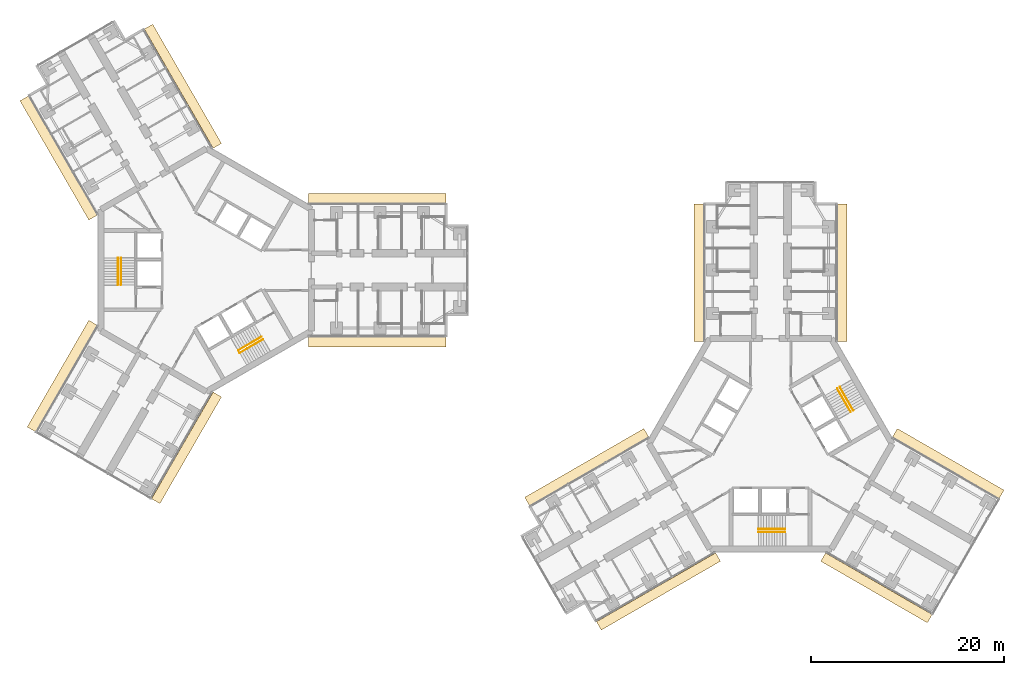
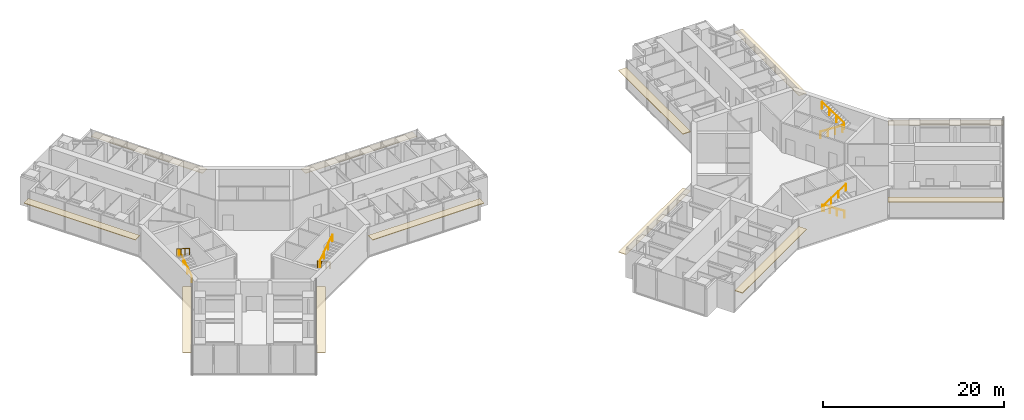
# One storey, part 23 of 23: 12 coverings, 8 railings.
"""IFC4 building model written with IfcOpenShell, lengths in metres."""

import ifcopenshell
import ifcopenshell.guid

model = None  # the IFC model being written
_history = None  # IfcOwnerHistory: only IFC2X3 demands one
_inside = {}  # id of a spatial element -> (the spatial element, [elements in it])
_under = {}  # id of a project, library or spatial element -> (it, [spatial elements below it])
_declared = {}  # id of a project -> (the project, [libraries it declares])
_typed = {}  # id of a type object -> (the type object, [elements of that type])
_made_of = {}  # id of a material, layer set ... -> (it, [elements and type objects made of it])


def new_model(schema):
    """Start an empty IFC model of exactly this schema.

    Asked for "IFC4X3", IfcOpenShell would pick the latest addendum, in which some entities
    have other attributes; the version numbers below select the first issue.
    IFC2X3 requires an IfcOwnerHistory on every rooted entity: one is made here for all.
    """
    global model, _history
    if schema == "IFC4X3":
        model = ifcopenshell.file(schema_version=(4, 3, 0, 0))
    else:
        model = ifcopenshell.file(schema=schema)
    _inside.clear()
    _under.clear()
    _declared.clear()
    _typed.clear()
    _made_of.clear()
    _history = None
    if model.schema == "IFC2X3":
        org = make("IfcOrganization", Name="unknown")
        user = make(
            "IfcPersonAndOrganization",
            ThePerson=make("IfcPerson", FamilyName="unknown"),
            TheOrganization=org,
        )
        app = make(
            "IfcApplication",
            ApplicationDeveloper=org,
            Version="unknown",
            ApplicationFullName="unknown",
            ApplicationIdentifier="unknown",
        )
        _history = make(
            "IfcOwnerHistory",
            OwningUser=user,
            OwningApplication=app,
            ChangeAction="ADDED",
            CreationDate=0,
        )
    return model


def make(cls, **values):
    """One entity of the class cls with the attributes given. An attribute that is None is left unset."""
    return model.create_entity(
        cls, **{name: value for name, value in values.items() if value is not None}
    )


def rooted(cls, **values):
    """An entity with a GlobalId (a new one), such as an element, a storey or a relation."""
    return make(cls, GlobalId=ifcopenshell.guid.new(), OwnerHistory=_history, **values)


def si_unit(unit_type, name, prefix=None):
    """IfcSIUnit, for example si_unit("LENGTHUNIT", "METRE", prefix="MILLI")."""
    return make("IfcSIUnit", UnitType=unit_type, Prefix=prefix, Name=name)


def assignment(units):
    """IfcUnitAssignment: the units of a project."""
    return None if units is None else make("IfcUnitAssignment", Units=units)


def point(xyz):
    """IfcCartesianPoint."""
    return None if xyz is None else make("IfcCartesianPoint", Coordinates=xyz)


def direction(xyz):
    """IfcDirection."""
    return None if xyz is None else make("IfcDirection", DirectionRatios=xyz)


def frame(location, z_axis=None, x_axis=None):
    """IfcAxis2Placement3D, a coordinate frame: its origin and axes. An axis left out is left unset."""
    return make(
        "IfcAxis2Placement3D",
        Location=point(location),
        Axis=direction(z_axis),
        RefDirection=direction(x_axis),
    )


def frame_2d(location, x_axis=None):
    """IfcAxis2Placement2D, a coordinate frame in the plane: its origin and x axis."""
    return make(
        "IfcAxis2Placement2D", Location=point(location), RefDirection=direction(x_axis)
    )


def origin():
    """The frame at (0, 0, 0) with its axes left unset."""
    return frame((0.0, 0.0, 0.0))


def origin_2d():
    """The frame at (0, 0) in the plane with its x axis left unset."""
    return frame_2d((0.0, 0.0))


def place(relative_to, where):
    """IfcLocalPlacement: puts the frame where relative to a parent placement (None: the world)."""
    return make(
        "IfcLocalPlacement", PlacementRelTo=relative_to, RelativePlacement=where
    )


def context(
    kind, dimensions, precision=None, world=None, true_north=None, identifier=None
):
    """IfcGeometricRepresentationContext, for example the 3D "Model" context."""
    return make(
        "IfcGeometricRepresentationContext",
        ContextIdentifier=identifier,
        ContextType=kind,
        CoordinateSpaceDimension=dimensions,
        Precision=precision,
        WorldCoordinateSystem=world,
        TrueNorth=true_north,
    )


def subcontext(parent, identifier, kind, view, scale=None):
    """IfcGeometricRepresentationSubContext, for example "Body" below "Model"."""
    return make(
        "IfcGeometricRepresentationSubContext",
        ContextIdentifier=identifier,
        ContextType=kind,
        ParentContext=parent,
        TargetScale=scale,
        TargetView=view,
    )


def project(units=None, contexts=None):
    """IfcProject with its units and contexts."""
    return rooted(
        "IfcProject",
        Name="project",
        RepresentationContexts=contexts,
        UnitsInContext=assignment(units),
    )


def spatial(cls, under=None, at=None, **own):
    """A site, building, storey or space (cls), placed at a placement, below another one or the project."""
    s = rooted(cls, ObjectPlacement=at, **own)
    if under is not None:
        _under.setdefault(under.id(), (under, []))[1].append(s)
    return s


def profile(cls, at=None, kind="AREA", **sizes):
    """A parametric profile (cls). Its sizes go by their IFC names, for example OverallWidth=200.0."""
    return make(cls, ProfileType=kind, Position=at, **sizes)


def rectangle(**sizes):
    """IfcRectangleProfileDef."""
    return profile("IfcRectangleProfileDef", **sizes)


def circle(**sizes):
    """IfcCircleProfileDef."""
    return profile("IfcCircleProfileDef", **sizes)


def extrude(swept, where, along, depth):
    """IfcExtrudedAreaSolid: the profile swept, set in the frame where, extruded along a direction by depth."""
    return make(
        "IfcExtrudedAreaSolid",
        SweptArea=swept,
        Position=where,
        ExtrudedDirection=direction(along),
        Depth=depth,
    )


def shape(context_of_items, identifier, shape_type, items):
    """IfcShapeRepresentation: the items that make up one representation, for example the "Body"."""
    return make(
        "IfcShapeRepresentation",
        ContextOfItems=context_of_items,
        RepresentationIdentifier=identifier,
        RepresentationType=shape_type,
        Items=items,
    )


def material(Name=None, Category=None):
    """IfcMaterial."""
    return make("IfcMaterial", Name=Name, Category=Category)


def layer(
    of_material, thickness, ventilated=None, Name=None, Category=None, Priority=None
):
    """IfcMaterialLayer: one layer of a wall or slab, of a material (None: an air gap)."""
    return make(
        "IfcMaterialLayer",
        Material=of_material,
        LayerThickness=thickness,
        IsVentilated=ventilated,
        Name=Name,
        Category=Category,
        Priority=Priority,
    )


def layer_set(layers, Name=None):
    """IfcMaterialLayerSet."""
    return make("IfcMaterialLayerSet", MaterialLayers=layers, LayerSetName=Name)


def made_of(thing, what):
    """Note that an element or type object is made of a material, layer set ...; save() writes the relation."""
    if what is not None:
        _made_of.setdefault(what.id(), (what, []))[1].append(thing)
    return thing


def type_object(cls, material=None, **own):
    """A type object (cls), such as IfcWallType, which elements share."""
    return made_of(rooted(cls, **own), material)


def element(
    cls,
    number,
    at=None,
    inside=None,
    cuts=None,
    type_object=None,
    material=None,
    context=None,
    identifier="Body",
    shape_type=None,
    held_by="IfcProductDefinitionShape",
    body=None,
    shapes=None,
    **own,
):
    """One element of the class cls, such as IfcWall. Its Tag is "e" and its number.

    at: its placement. inside: the storey or other place that contains it. cuts: it is an
    opening in that element (IfcRelVoidsElement). A single representation is given by context,
    identifier, shape_type and body (its items); several are given by shapes. held_by: the class
    of the entity that holds the representations. save() writes the other relations.
    """
    e = rooted(cls, Tag="e%d" % number, ObjectPlacement=at, **own)
    if body is not None:
        shapes = [shape(context, identifier, shape_type, body)]
    if shapes is not None:
        e.Representation = make(held_by, Representations=shapes)
    if inside is not None:
        _inside.setdefault(inside.id(), (inside, []))[1].append(e)
    if cuts is not None:
        rooted(
            "IfcRelVoidsElement", RelatingBuildingElement=cuts, RelatedOpeningElement=e
        )
    if type_object is not None:
        _typed.setdefault(type_object.id(), (type_object, []))[1].append(e)
    return made_of(e, material)


def aggregate(whole, parts):
    """IfcRelAggregates: a whole, such as a stair, and the parts it consists of."""
    return rooted("IfcRelAggregates", RelatingObject=whole, RelatedObjects=parts)


def save(model, path):
    """Write the relations noted so far, then the file.

    IfcRelAggregates (storeys below a building ...), IfcRelContainedInSpatialStructure (elements
    in a storey), IfcRelDefinesByType, IfcRelAssociatesMaterial and IfcRelDeclares: one each for
    every whole, place, type object, material and project.
    """
    for whole, parts in _under.values():
        aggregate(whole, parts)
    for where, things in _inside.values():
        rooted(
            "IfcRelContainedInSpatialStructure",
            RelatedElements=things,
            RelatingStructure=where,
        )
    for kind, things in _typed.values():
        rooted("IfcRelDefinesByType", RelatedObjects=things, RelatingType=kind)
    for what, things in _made_of.values():
        rooted("IfcRelAssociatesMaterial", RelatedObjects=things, RelatingMaterial=what)
    for by, libraries in _declared.values():
        rooted("IfcRelDeclares", RelatingContext=by, RelatedDefinitions=libraries)
    model.write(path)


model = new_model("IFC4")

# Units and contexts
model_context = context("Model", 3, precision=1e-05, world=origin(), true_north=direction((0.0, 1.0)))
body_context = subcontext(model_context, "Body", "Model", "MODEL_VIEW")
ifc_project = project(units=[si_unit("LENGTHUNIT", "METRE"), si_unit("AREAUNIT", "SQUARE_METRE"), si_unit("VOLUMEUNIT", "CUBIC_METRE"), si_unit("PLANEANGLEUNIT", "RADIAN"), si_unit("MASSUNIT", "GRAM", prefix="KILO")], contexts=[model_context])

# Site, building, storey
site_placement = place(None, origin())
site = spatial("IfcSite", under=ifc_project, at=site_placement, CompositionType="ELEMENT")
building_placement = place(site_placement, origin())
building = spatial("IfcBuilding", under=site, at=building_placement, Name="Upepo Twin Towers", CompositionType="ELEMENT")
storey_placement = place(building_placement, frame((0.0, 0.0, 157.5)))
storey = spatial("IfcBuildingStorey", under=building, at=storey_placement, Name="L38", CompositionType="ELEMENT", Elevation=157.5)

# Coverings
ifc_material_1 = material(Name="Anodised aluminium, pale silver", Category="aluminium")
ifc_layer = layer(ifc_material_1, 0.080078125)
ifc_layer_set = layer_set([ifc_layer], Name="Brise-soleil blade 1000 pale aluminium")
covering_type = type_object("IfcCoveringType", Name="Brise-soleil blade 1000 pale aluminium", PredefinedType="USERDEFINED", material=ifc_layer_set)
for number, where, z_axis, x_axis, name in (
    (1, (17.718505859375, 7.43994140625, 2.909912109375), (0.0, 0.0, 1.0), (1.0, 0.0, 0.0), "T1 L38 wing A brise-soleil L"),
    (2, (17.718505859375, -7.43994140625, 2.909912109375), (0.0, 0.0, 1.0), (1.0, 0.0, 0.0), "T1 L38 wing A brise-soleil R"),
    (3, (-15.302490234375, 11.624755859375, 2.909912109375), (0.0, 0.0, 1.0), (-0.500000015115, 0.866025395058, 0.0), "T1 L38 wing B brise-soleil L"),
    (4, (-2.416015625, 19.064697265625, 2.909912109375), (0.0, 0.0, 1.0), (-0.500000015115, 0.866025395058, 0.0), "T1 L38 wing B brise-soleil R"),
):
    element("IfcCovering", number, at=place(storey_placement, frame(where, z_axis=z_axis, x_axis=x_axis)), inside=storey, type_object=covering_type, Name=name, ObjectType="SUNSHADE", PredefinedType="USERDEFINED", context=body_context, shape_type="SweptSolid", body=[
        extrude(rectangle(XDim=14.262939453125, YDim=1.0, at=origin_2d()), origin(), (0.0, 0.0, 1.0), 0.080078125),
    ])
for number, where, z_axis, x_axis, name in (
    (5, (-2.041015625, -18.415283203125, 2.909912109375), (0.0, 0.0, 1.0), (-0.500000015115, -0.866025395058, 0.0), "T1 L38 wing C brise-soleil L"),
    (6, (-14.927490234375, -10.97509765625, 2.909912109375), (0.0, 0.0, 1.0), (-0.500000015115, -0.866025395058, 0.0), "T1 L38 wing C brise-soleil R"),
):
    element("IfcCovering", number, at=place(storey_placement, frame(where, z_axis=z_axis, x_axis=x_axis)), inside=storey, type_object=covering_type, Name=name, ObjectType="SUNSHADE", PredefinedType="USERDEFINED", context=body_context, shape_type="SweptSolid", body=[
        extrude(rectangle(XDim=12.762939453125, YDim=1.0, at=origin_2d()), origin(), (0.0, 0.0, 1.0), 0.080078125),
    ])
for number, where, z_axis, x_axis, name in (
    (7, (51.06005859375, -0.281494140625, 2.909912109375), (0.0, 0.0, 1.0), (0.0, 1.0, 0.0), "T2 L38 wing A brise-soleil L"),
    (8, (65.93994140625, -0.281494140625, 2.909912109375), (0.0, 0.0, 1.0), (0.0, 1.0, 0.0), "T2 L38 wing A brise-soleil R"),
    (9, (46.875244140625, -33.302490234375, 2.909912109375), (0.0, 0.0, 1.0), (-0.866025395058, -0.500000015115, 0.0), "T2 L38 wing B brise-soleil L"),
    (10, (39.435302734375, -20.416015625, 2.909912109375), (0.0, 0.0, 1.0), (-0.866025395058, -0.500000015115, 0.0), "T2 L38 wing B brise-soleil R"),
):
    element("IfcCovering", number, at=place(storey_placement, frame(where, z_axis=z_axis, x_axis=x_axis)), inside=storey, type_object=covering_type, Name=name, ObjectType="SUNSHADE", PredefinedType="USERDEFINED", context=body_context, shape_type="SweptSolid", body=[
        extrude(rectangle(XDim=14.262939453125, YDim=1.0, at=origin_2d()), origin(), (0.0, 0.0, 1.0), 0.080078125),
    ])
for number, where, z_axis, x_axis, name in (
    (11, (76.915283203125, -20.041015625, 2.909912109375), (0.0, 0.0, 1.0), (0.866025395058, -0.500000015115, 0.0), "T2 L38 wing C brise-soleil L"),
    (12, (69.47509765625, -32.927490234375, 2.909912109375), (0.0, 0.0, 1.0), (0.866025395058, -0.500000015115, 0.0), "T2 L38 wing C brise-soleil R"),
):
    element("IfcCovering", number, at=place(storey_placement, frame(where, z_axis=z_axis, x_axis=x_axis)), inside=storey, type_object=covering_type, Name=name, ObjectType="SUNSHADE", PredefinedType="USERDEFINED", context=body_context, shape_type="SweptSolid", body=[
        extrude(rectangle(XDim=12.762939453125, YDim=1.0, at=origin_2d()), origin(), (0.0, 0.0, 1.0), 0.080078125),
    ])

# Railings
ifc_material_2 = material(Name="Stainless steel", Category="steel")
railing_type = type_object("IfcRailingType", Name="Stair handrail 900", PredefinedType="HANDRAIL", material=ifc_material_2)
railing_1_placement = place(storey_placement, frame((-8.85009765625, -1.52001953125, 0.181884765625)))
element("IfcRailing", 13, at=railing_1_placement, inside=storey, type_object=railing_type, Name="T1 stair S1 L38 handrail 1", PredefinedType="HANDRAIL", context=body_context, shape_type="SweptSolid", body=[
    extrude(circle(Radius=0.02392578125, at=origin_2d()), frame((0.0, 0.0, 0.8759765625), z_axis=(0.0, 0.838705829183, 0.544584733623), x_axis=(-1.0, 0.0, 0.0)), (0.0, 0.0, 1.0), 3.338623046875),
    extrude(circle(Radius=0.02099609375, at=origin_2d()), origin(), (0.0, 0.0, 1.0), 0.851806640625),
    extrude(circle(Radius=0.02099609375, at=origin_2d()), frame((0.0, 0.933349609375, 0.60595703125)), (0.0, 0.0, 1.0), 0.851806640625),
    extrude(circle(Radius=0.02099609375, at=origin_2d()), frame((0.0, 1.86669921875, 1.212158203125)), (0.0, 0.0, 1.0), 0.851806640625),
    extrude(circle(Radius=0.02099609375, at=origin_2d()), frame((0.0, 2.800048828125, 1.818115234375)), (0.0, 0.0, 1.0), 0.851806640625),
])
railing_2_placement = place(storey_placement, frame((-9.158447265625, 1.280029296875, 2.181884765625)))
element("IfcRailing", 14, at=railing_2_placement, inside=storey, type_object=railing_type, Name="T1 stair S1 L38 handrail 2", PredefinedType="HANDRAIL", context=body_context, shape_type="SweptSolid", body=[
    extrude(circle(Radius=0.02392578125, at=origin_2d()), frame((0.0, 0.0, 0.8759765625), z_axis=(0.0, -0.838705829183, 0.544584733623), x_axis=(1.0, 0.0, 0.0)), (0.0, 0.0, 1.0), 3.338623046875),
    extrude(circle(Radius=0.02099609375, at=origin_2d()), origin(), (0.0, 0.0, 1.0), 0.851806640625),
    extrude(circle(Radius=0.02099609375, at=origin_2d()), frame((0.0, -0.933349609375, 0.60595703125)), (0.0, 0.0, 1.0), 0.851806640625),
    extrude(circle(Radius=0.02099609375, at=origin_2d()), frame((0.0, -1.86669921875, 1.212158203125)), (0.0, 0.0, 1.0), 0.851806640625),
    extrude(circle(Radius=0.02099609375, at=origin_2d()), frame((0.0, -2.800048828125, 1.818115234375)), (0.0, 0.0, 1.0), 0.851806640625),
])
railing_3_placement = place(storey_placement, frame((5.741455078125, -6.904296875, 0.181884765625)))
element("IfcRailing", 15, at=railing_3_placement, inside=storey, type_object=railing_type, Name="T1 stair S2 L38 handrail 1", PredefinedType="HANDRAIL", context=body_context, shape_type="SweptSolid", body=[
    extrude(circle(Radius=0.02392578125, at=origin_2d()), frame((0.0, 0.0, 0.8759765625), z_axis=(-0.726348578268, -0.419370693282, 0.544560340518), x_axis=(0.500011755427, -0.866018616679, 0.0)), (0.0, 0.0, 1.0), 3.338623046875),
    extrude(circle(Radius=0.02099609375, at=origin_2d()), origin(), (0.0, 0.0, 1.0), 0.851806640625),
    extrude(circle(Radius=0.02099609375, at=origin_2d()), frame((-0.808349609375, -0.466796875, 0.60595703125)), (0.0, 0.0, 1.0), 0.851806640625),
    extrude(circle(Radius=0.02099609375, at=origin_2d()), frame((-1.61669921875, -0.933349609375, 1.212158203125)), (0.0, 0.0, 1.0), 0.851806640625),
    extrude(circle(Radius=0.02099609375, at=origin_2d()), frame((-2.425048828125, -1.400146484375, 1.818115234375)), (0.0, 0.0, 1.0), 0.851806640625),
])
railing_4_placement = place(storey_placement, frame((3.470703125, -8.5712890625, 2.181884765625)))
element("IfcRailing", 16, at=railing_4_placement, inside=storey, type_object=railing_type, Name="T1 stair S2 L38 handrail 2", PredefinedType="HANDRAIL", context=body_context, shape_type="SweptSolid", body=[
    extrude(circle(Radius=0.02392578125, at=origin_2d()), frame((0.0, 0.0, 0.8759765625), z_axis=(0.726336304947, 0.419332699614, 0.544605966869), x_axis=(-0.49998411664, 0.866034573852, 0.0)), (0.0, 0.0, 1.0), 3.33837890625),
    extrude(circle(Radius=0.02099609375, at=origin_2d()), origin(), (0.0, 0.0, 1.0), 0.851806640625),
    extrude(circle(Radius=0.02099609375, at=origin_2d()), frame((0.808349609375, 0.466552734375, 0.60595703125)), (0.0, 0.0, 1.0), 0.851806640625),
    extrude(circle(Radius=0.02099609375, at=origin_2d()), frame((1.616455078125, 0.933349609375, 1.212158203125)), (0.0, 0.0, 1.0), 0.851806640625),
    extrude(circle(Radius=0.02099609375, at=origin_2d()), frame((2.4248046875, 1.39990234375, 1.818115234375)), (0.0, 0.0, 1.0), 0.851806640625),
])
railing_5_placement = place(storey_placement, frame((60.02001953125, -26.85009765625, 0.181884765625)))
element("IfcRailing", 17, at=railing_5_placement, inside=storey, type_object=railing_type, Name="T2 stair S1 L38 handrail 1", PredefinedType="HANDRAIL", context=body_context, shape_type="SweptSolid", body=[
    extrude(circle(Radius=0.02392578125, at=origin_2d()), frame((0.0, 0.0, 0.8759765625), z_axis=(-0.838705829183, 0.0, 0.544584733623), x_axis=(0.0, -1.0, 0.0)), (0.0, 0.0, 1.0), 3.338623046875),
    extrude(circle(Radius=0.02099609375, at=origin_2d()), origin(), (0.0, 0.0, 1.0), 0.851806640625),
    extrude(circle(Radius=0.02099609375, at=origin_2d()), frame((-0.933349609375, 0.0, 0.60595703125)), (0.0, 0.0, 1.0), 0.851806640625),
    extrude(circle(Radius=0.02099609375, at=origin_2d()), frame((-1.86669921875, 0.0, 1.212158203125)), (0.0, 0.0, 1.0), 0.851806640625),
    extrude(circle(Radius=0.02099609375, at=origin_2d()), frame((-2.800048828125, 0.0, 1.818115234375)), (0.0, 0.0, 1.0), 0.851806640625),
])
railing_6_placement = place(storey_placement, frame((57.219970703125, -27.158447265625, 2.181884765625)))
element("IfcRailing", 18, at=railing_6_placement, inside=storey, type_object=railing_type, Name="T2 stair S1 L38 handrail 2", PredefinedType="HANDRAIL", context=body_context, shape_type="SweptSolid", body=[
    extrude(circle(Radius=0.02392578125, at=origin_2d()), frame((0.0, 0.0, 0.8759765625), z_axis=(0.838705829183, 0.0, 0.544584733623), x_axis=(0.0, 1.0, 0.0)), (0.0, 0.0, 1.0), 3.338623046875),
    extrude(circle(Radius=0.02099609375, at=origin_2d()), origin(), (0.0, 0.0, 1.0), 0.851806640625),
    extrude(circle(Radius=0.02099609375, at=origin_2d()), frame((0.933349609375, 0.0, 0.60595703125)), (0.0, 0.0, 1.0), 0.851806640625),
    extrude(circle(Radius=0.02099609375, at=origin_2d()), frame((1.86669921875, 0.0, 1.212158203125)), (0.0, 0.0, 1.0), 0.851806640625),
    extrude(circle(Radius=0.02099609375, at=origin_2d()), frame((2.800048828125, 0.0, 1.818115234375)), (0.0, 0.0, 1.0), 0.851806640625),
])
railing_7_placement = place(storey_placement, frame((65.404296875, -12.258544921875, 0.181884765625)))
element("IfcRailing", 19, at=railing_7_placement, inside=storey, type_object=railing_type, Name="T2 stair S2 L38 handrail 1", PredefinedType="HANDRAIL", context=body_context, shape_type="SweptSolid", body=[
    extrude(circle(Radius=0.02392578125, at=origin_2d()), frame((0.0, 0.0, 0.8759765625), z_axis=(0.419370693282, -0.726348578268, 0.544560340518), x_axis=(0.866018616679, 0.500011755427, 0.0)), (0.0, 0.0, 1.0), 3.338623046875),
    extrude(circle(Radius=0.02099609375, at=origin_2d()), origin(), (0.0, 0.0, 1.0), 0.851806640625),
    extrude(circle(Radius=0.02099609375, at=origin_2d()), frame((0.466796875, -0.808349609375, 0.60595703125)), (0.0, 0.0, 1.0), 0.851806640625),
    extrude(circle(Radius=0.02099609375, at=origin_2d()), frame((0.933349609375, -1.61669921875, 1.212158203125)), (0.0, 0.0, 1.0), 0.851806640625),
    extrude(circle(Radius=0.02099609375, at=origin_2d()), frame((1.400146484375, -2.425048828125, 1.818115234375)), (0.0, 0.0, 1.0), 0.851806640625),
])
railing_8_placement = place(storey_placement, frame((67.0712890625, -14.529296875, 2.181884765625)))
element("IfcRailing", 20, at=railing_8_placement, inside=storey, type_object=railing_type, Name="T2 stair S2 L38 handrail 2", PredefinedType="HANDRAIL", context=body_context, shape_type="SweptSolid", body=[
    extrude(circle(Radius=0.02392578125, at=origin_2d()), frame((0.0, 0.0, 0.8759765625), z_axis=(-0.419332699614, 0.726336304947, 0.544605966869), x_axis=(-0.866034573852, -0.49998411664, 0.0)), (0.0, 0.0, 1.0), 3.33837890625),
    extrude(circle(Radius=0.02099609375, at=origin_2d()), origin(), (0.0, 0.0, 1.0), 0.851806640625),
    extrude(circle(Radius=0.02099609375, at=origin_2d()), frame((-0.466552734375, 0.808349609375, 0.60595703125)), (0.0, 0.0, 1.0), 0.851806640625),
    extrude(circle(Radius=0.02099609375, at=origin_2d()), frame((-0.933349609375, 1.616455078125, 1.212158203125)), (0.0, 0.0, 1.0), 0.851806640625),
    extrude(circle(Radius=0.02099609375, at=origin_2d()), frame((-1.39990234375, 2.4248046875, 1.818115234375)), (0.0, 0.0, 1.0), 0.851806640625),
])

save(model, "model.ifc")
